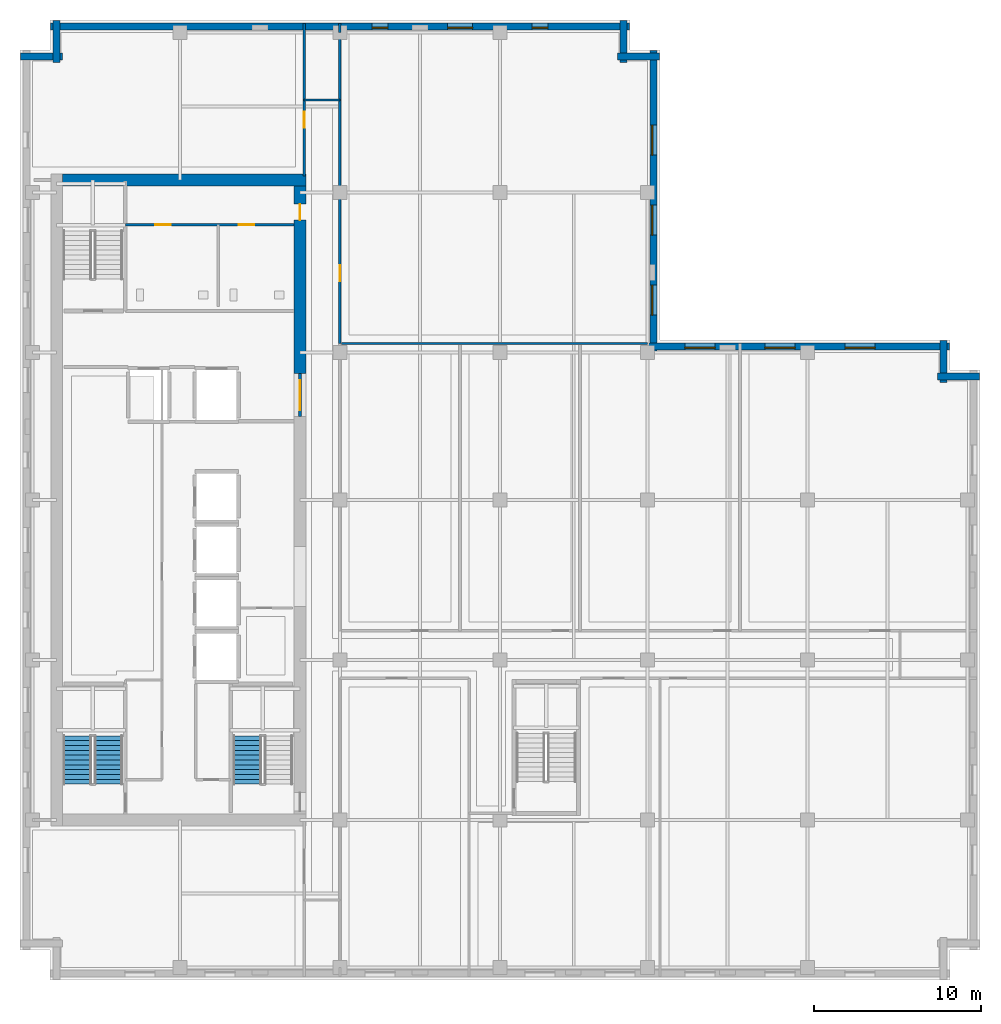
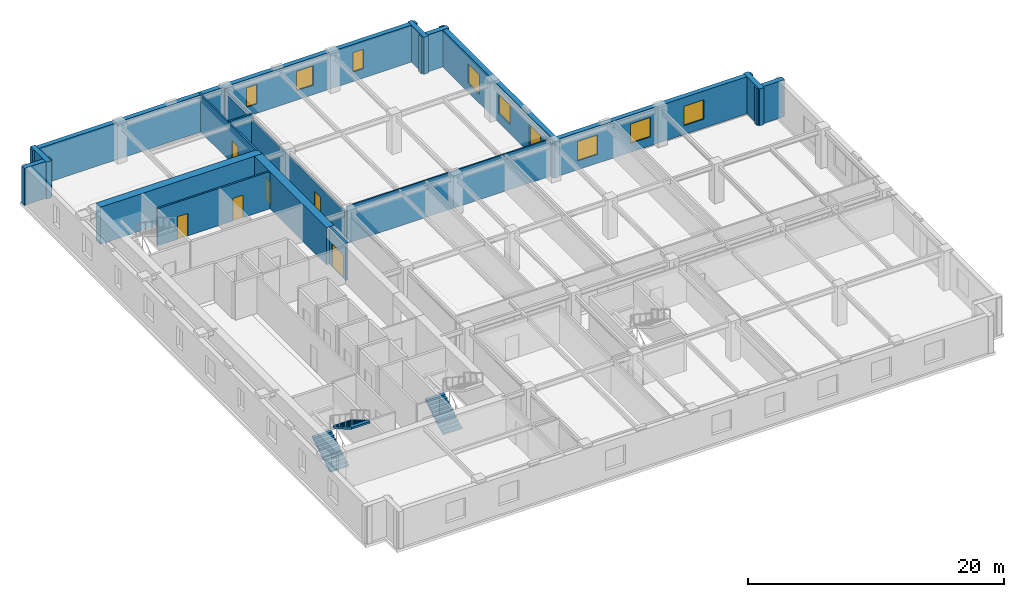
# One storey, part 6 of 11: 18 walls, 9 windows, 6 doors, 3 stair flights, 15 openings, 2 elements without a shape of their own.
"""IFC4 building model written with IfcOpenShell, lengths in metres."""

import ifcopenshell
import ifcopenshell.guid

model = None  # the IFC model being written
_history = None  # IfcOwnerHistory: only IFC2X3 demands one
_inside = {}  # id of a spatial element -> (the spatial element, [elements in it])
_under = {}  # id of a project, library or spatial element -> (it, [spatial elements below it])
_declared = {}  # id of a project -> (the project, [libraries it declares])
_typed = {}  # id of a type object -> (the type object, [elements of that type])
_made_of = {}  # id of a material, layer set ... -> (it, [elements and type objects made of it])


def new_model(schema):
    """Start an empty IFC model of exactly this schema.

    Asked for "IFC4X3", IfcOpenShell would pick the latest addendum, in which some entities
    have other attributes; the version numbers below select the first issue.
    IFC2X3 requires an IfcOwnerHistory on every rooted entity: one is made here for all.
    """
    global model, _history
    if schema == "IFC4X3":
        model = ifcopenshell.file(schema_version=(4, 3, 0, 0))
    else:
        model = ifcopenshell.file(schema=schema)
    _inside.clear()
    _under.clear()
    _declared.clear()
    _typed.clear()
    _made_of.clear()
    _history = None
    if model.schema == "IFC2X3":
        org = make("IfcOrganization", Name="unknown")
        user = make(
            "IfcPersonAndOrganization",
            ThePerson=make("IfcPerson", FamilyName="unknown"),
            TheOrganization=org,
        )
        app = make(
            "IfcApplication",
            ApplicationDeveloper=org,
            Version="unknown",
            ApplicationFullName="unknown",
            ApplicationIdentifier="unknown",
        )
        _history = make(
            "IfcOwnerHistory",
            OwningUser=user,
            OwningApplication=app,
            ChangeAction="ADDED",
            CreationDate=0,
        )
    return model


def make(cls, **values):
    """One entity of the class cls with the attributes given. An attribute that is None is left unset."""
    return model.create_entity(
        cls, **{name: value for name, value in values.items() if value is not None}
    )


def rooted(cls, **values):
    """An entity with a GlobalId (a new one), such as an element, a storey or a relation."""
    return make(cls, GlobalId=ifcopenshell.guid.new(), OwnerHistory=_history, **values)


def si_unit(unit_type, name, prefix=None):
    """IfcSIUnit, for example si_unit("LENGTHUNIT", "METRE", prefix="MILLI")."""
    return make("IfcSIUnit", UnitType=unit_type, Prefix=prefix, Name=name)


def assignment(units):
    """IfcUnitAssignment: the units of a project."""
    return None if units is None else make("IfcUnitAssignment", Units=units)


def point(xyz):
    """IfcCartesianPoint."""
    return None if xyz is None else make("IfcCartesianPoint", Coordinates=xyz)


def direction(xyz):
    """IfcDirection."""
    return None if xyz is None else make("IfcDirection", DirectionRatios=xyz)


def frame(location, z_axis=None, x_axis=None):
    """IfcAxis2Placement3D, a coordinate frame: its origin and axes. An axis left out is left unset."""
    return make(
        "IfcAxis2Placement3D",
        Location=point(location),
        Axis=direction(z_axis),
        RefDirection=direction(x_axis),
    )


def frame_2d(location, x_axis=None):
    """IfcAxis2Placement2D, a coordinate frame in the plane: its origin and x axis."""
    return make(
        "IfcAxis2Placement2D", Location=point(location), RefDirection=direction(x_axis)
    )


def origin():
    """The frame at (0, 0, 0) with its axes left unset."""
    return frame((0.0, 0.0, 0.0))


def place(relative_to, where):
    """IfcLocalPlacement: puts the frame where relative to a parent placement (None: the world)."""
    return make(
        "IfcLocalPlacement", PlacementRelTo=relative_to, RelativePlacement=where
    )


def context(
    kind, dimensions, precision=None, world=None, true_north=None, identifier=None
):
    """IfcGeometricRepresentationContext, for example the 3D "Model" context."""
    return make(
        "IfcGeometricRepresentationContext",
        ContextIdentifier=identifier,
        ContextType=kind,
        CoordinateSpaceDimension=dimensions,
        Precision=precision,
        WorldCoordinateSystem=world,
        TrueNorth=true_north,
    )


def subcontext(parent, identifier, kind, view, scale=None):
    """IfcGeometricRepresentationSubContext, for example "Body" below "Model"."""
    return make(
        "IfcGeometricRepresentationSubContext",
        ContextIdentifier=identifier,
        ContextType=kind,
        ParentContext=parent,
        TargetScale=scale,
        TargetView=view,
    )


def project(units=None, contexts=None):
    """IfcProject with its units and contexts."""
    return rooted(
        "IfcProject",
        Name="project",
        RepresentationContexts=contexts,
        UnitsInContext=assignment(units),
    )


def spatial(cls, under=None, at=None, **own):
    """A site, building, storey or space (cls), placed at a placement, below another one or the project."""
    s = rooted(cls, ObjectPlacement=at, **own)
    if under is not None:
        _under.setdefault(under.id(), (under, []))[1].append(s)
    return s


def polyline(points):
    """IfcPolyline through the points."""
    return make("IfcPolyline", Points=[point(p) for p in points])


def profile(cls, at=None, kind="AREA", **sizes):
    """A parametric profile (cls). Its sizes go by their IFC names, for example OverallWidth=200.0."""
    return make(cls, ProfileType=kind, Position=at, **sizes)


def rectangle(**sizes):
    """IfcRectangleProfileDef."""
    return profile("IfcRectangleProfileDef", **sizes)


def outline(outer, holes=None, kind="AREA"):
    """IfcArbitraryClosedProfileDef: a profile drawn as a closed curve; with holes, ...WithVoids."""
    if holes is None:
        return make("IfcArbitraryClosedProfileDef", ProfileType=kind, OuterCurve=outer)
    return make(
        "IfcArbitraryProfileDefWithVoids",
        ProfileType=kind,
        OuterCurve=outer,
        InnerCurves=holes,
    )


def extrude(swept, where, along, depth):
    """IfcExtrudedAreaSolid: the profile swept, set in the frame where, extruded along a direction by depth."""
    return make(
        "IfcExtrudedAreaSolid",
        SweptArea=swept,
        Position=where,
        ExtrudedDirection=direction(along),
        Depth=depth,
    )


def shape(context_of_items, identifier, shape_type, items):
    """IfcShapeRepresentation: the items that make up one representation, for example the "Body"."""
    return make(
        "IfcShapeRepresentation",
        ContextOfItems=context_of_items,
        RepresentationIdentifier=identifier,
        RepresentationType=shape_type,
        Items=items,
    )


def material(Name=None, Category=None):
    """IfcMaterial."""
    return make("IfcMaterial", Name=Name, Category=Category)


def layer(
    of_material, thickness, ventilated=None, Name=None, Category=None, Priority=None
):
    """IfcMaterialLayer: one layer of a wall or slab, of a material (None: an air gap)."""
    return make(
        "IfcMaterialLayer",
        Material=of_material,
        LayerThickness=thickness,
        IsVentilated=ventilated,
        Name=Name,
        Category=Category,
        Priority=Priority,
    )


def layer_set(layers, Name=None):
    """IfcMaterialLayerSet."""
    return make("IfcMaterialLayerSet", MaterialLayers=layers, LayerSetName=Name)


def made_of(thing, what):
    """Note that an element or type object is made of a material, layer set ...; save() writes the relation."""
    if what is not None:
        _made_of.setdefault(what.id(), (what, []))[1].append(thing)
    return thing


def type_object(cls, material=None, **own):
    """A type object (cls), such as IfcWallType, which elements share."""
    return made_of(rooted(cls, **own), material)


def element(
    cls,
    number,
    at=None,
    inside=None,
    cuts=None,
    type_object=None,
    material=None,
    context=None,
    identifier="Body",
    shape_type=None,
    held_by="IfcProductDefinitionShape",
    body=None,
    shapes=None,
    **own,
):
    """One element of the class cls, such as IfcWall. Its Tag is "e" and its number.

    at: its placement. inside: the storey or other place that contains it. cuts: it is an
    opening in that element (IfcRelVoidsElement). A single representation is given by context,
    identifier, shape_type and body (its items); several are given by shapes. held_by: the class
    of the entity that holds the representations. save() writes the other relations.
    """
    e = rooted(cls, Tag="e%d" % number, ObjectPlacement=at, **own)
    if body is not None:
        shapes = [shape(context, identifier, shape_type, body)]
    if shapes is not None:
        e.Representation = make(held_by, Representations=shapes)
    if inside is not None:
        _inside.setdefault(inside.id(), (inside, []))[1].append(e)
    if cuts is not None:
        rooted(
            "IfcRelVoidsElement", RelatingBuildingElement=cuts, RelatedOpeningElement=e
        )
    if type_object is not None:
        _typed.setdefault(type_object.id(), (type_object, []))[1].append(e)
    return made_of(e, material)


def fill(opening, filler):
    """IfcRelFillsElement: the door or window that sits in an opening."""
    return rooted(
        "IfcRelFillsElement",
        RelatingOpeningElement=opening,
        RelatedBuildingElement=filler,
    )


def aggregate(whole, parts):
    """IfcRelAggregates: a whole, such as a stair, and the parts it consists of."""
    return rooted("IfcRelAggregates", RelatingObject=whole, RelatedObjects=parts)


def save(model, path):
    """Write the relations noted so far, then the file.

    IfcRelAggregates (storeys below a building ...), IfcRelContainedInSpatialStructure (elements
    in a storey), IfcRelDefinesByType, IfcRelAssociatesMaterial and IfcRelDeclares: one each for
    every whole, place, type object, material and project.
    """
    for whole, parts in _under.values():
        aggregate(whole, parts)
    for where, things in _inside.values():
        rooted(
            "IfcRelContainedInSpatialStructure",
            RelatedElements=things,
            RelatingStructure=where,
        )
    for kind, things in _typed.values():
        rooted("IfcRelDefinesByType", RelatedObjects=things, RelatingType=kind)
    for what, things in _made_of.values():
        rooted("IfcRelAssociatesMaterial", RelatedObjects=things, RelatingMaterial=what)
    for by, libraries in _declared.values():
        rooted("IfcRelDeclares", RelatingContext=by, RelatedDefinitions=libraries)
    model.write(path)


model = new_model("IFC4")

# Units and contexts
model_context = context("Model", 3, precision=1e-05, world=origin(), true_north=direction((0.0, 1.0)))
body_context = subcontext(model_context, "Body", "Model", "MODEL_VIEW")
ifc_project = project(units=[si_unit("LENGTHUNIT", "METRE"), si_unit("AREAUNIT", "SQUARE_METRE"), si_unit("VOLUMEUNIT", "CUBIC_METRE"), si_unit("PLANEANGLEUNIT", "RADIAN"), si_unit("MASSUNIT", "GRAM", prefix="KILO")], contexts=[model_context])

# Site, building, storey
site_placement = place(None, origin())
site = spatial("IfcSite", under=ifc_project, at=site_placement, CompositionType="ELEMENT")
building_placement = place(site_placement, origin())
building = spatial("IfcBuilding", under=site, at=building_placement, Name="Norrvale University Quadrangle", CompositionType="ELEMENT")
storey_placement = place(building_placement, frame((0.0, 0.0, 202.800048828125)))
storey = spatial("IfcBuildingStorey", under=building, at=storey_placement, Name="L51", CompositionType="ELEMENT", Elevation=202.800048828125)

# Walls
ifc_material_1 = material(Name="Buff Norman Clay Brick Masonry", Category="masonry")
ifc_layer_1 = layer(ifc_material_1, 0.419921875, Name="Buff Norman Clay Brick Masonry")
ifc_layer_set_1 = layer_set([ifc_layer_1], Name="Buff Norman Clay Brick Masonry")
wall_type_1 = type_object("IfcWallType", Name="Wall Buff Brick 420", PredefinedType="SOLIDWALL", material=ifc_layer_set_1)
for number, where, z_axis, x_axis, name in (
    (1, (57.56005859375, 36.2099609375, 0.0), (0.0, 0.0, 1.0), (-1.0, 0.0, 0.0), "Exterior Brick Facade Wall L51-05.1"),
    (2, (55.409912109375, 35.860107421875, 0.0), (0.0, 0.0, 1.0), (0.0, 1.0, 0.0), "Exterior Brick Facade Wall L51-06.1"),
):
    element("IfcWall", number, at=place(storey_placement, frame(where, z_axis=z_axis, x_axis=x_axis)), inside=storey, type_object=wall_type_1, Name=name, PredefinedType="SOLIDWALL", context=body_context, shape_type="SweptSolid", body=[
        extrude(rectangle(XDim=2.5, YDim=0.419921875, at=frame_2d((1.25, 0.0))), origin(), (0.0, 0.0, 1.0), 3.5400390625),
    ])

# Wall, openings, windows
wall_1_placement = place(storey_placement, frame((55.760009765625, 38.010009765625, 0.0), z_axis=(0.0, 0.0, 1.0), x_axis=(-1.0, 0.0, 0.0)))
wall_1 = element("IfcWall", 3, at=wall_1_placement, inside=storey, type_object=wall_type_1, Name="Exterior Brick Facade Wall L51-07.1", PredefinedType="SOLIDWALL", context=body_context, shape_type="SweptSolid", body=[
    extrude(rectangle(XDim=18.10009765625, YDim=0.419921875, at=frame_2d((9.050048828125, 0.0))), origin(), (0.0, 0.0, 1.0), 3.5400390625),
])
opening_1_placement = place(wall_1_placement, frame((4.4599609375, 0.0, 0.85009765625)))
opening_1 = element("IfcOpeningElement", 4, at=opening_1_placement, cuts=wall_1, Name="Opening W01", PredefinedType="OPENING", context=body_context, shape_type="SweptSolid", body=[
    extrude(rectangle(XDim=1.800048828125, YDim=1.85009765625, at=frame_2d((0.89990234375, 0.925048828125))), frame((0.0, 0.221923828125, 0.0), z_axis=(0.0, -1.0, 0.0), x_axis=(1.0, 0.0, 0.0)), (0.0, 0.0, 1.0), 0.44384765625),
])
opening_2_placement = place(wall_1_placement, frame((9.260009765625, 0.0, 0.85009765625)))
opening_2 = element("IfcOpeningElement", 5, at=opening_2_placement, cuts=wall_1, Name="Opening W01", PredefinedType="OPENING", context=body_context, shape_type="SweptSolid", body=[
    extrude(rectangle(XDim=1.800048828125, YDim=1.85009765625, at=frame_2d((0.89990234375, 0.925048828125))), frame((0.0, 0.221923828125, 0.0), z_axis=(0.0, -1.0, 0.0), x_axis=(1.0, 0.0, 0.0)), (0.0, 0.0, 1.0), 0.44384765625),
])
opening_3_placement = place(wall_1_placement, frame((14.06005859375, 0.0, 0.85009765625)))
opening_3 = element("IfcOpeningElement", 6, at=opening_3_placement, cuts=wall_1, Name="Opening W01", PredefinedType="OPENING", context=body_context, shape_type="SweptSolid", body=[
    extrude(rectangle(XDim=1.800048828125, YDim=1.85009765625, at=frame_2d((0.89990234375, 0.925048828125))), frame((0.0, 0.221923828125, 0.0), z_axis=(0.0, -1.0, 0.0), x_axis=(1.0, 0.0, 0.0)), (0.0, 0.0, 1.0), 0.44384765625),
])
ifc_material_2 = material(Name="Triple Low-E Argon Glazing", Category="glass")
window_type_1 = type_object("IfcWindowType", Name="Window Academic 1800x2300", PartitioningType="DOUBLE_PANEL_VERTICAL", PredefinedType="WINDOW", material=ifc_material_2)
window_1_placement = place(opening_1_placement, origin())
window_1 = element("IfcWindow", 7, at=window_1_placement, inside=storey, type_object=window_type_1, Name="Window Academic 1800x2300 WIN-L51-E07-1-01", OverallHeight=1.85009765625, OverallWidth=1.800048828125, PartitioningType="DOUBLE_PANEL_VERTICAL", PredefinedType="WINDOW", context=body_context, shape_type="SweptSolid", body=[
    extrude(rectangle(XDim=1.800048828125, YDim=1.85009765625, at=frame_2d((0.89990234375, 0.925048828125))), frame((0.0, 0.110107421875, 0.0), z_axis=(0.0, -1.0, 0.0), x_axis=(1.0, 0.0, 0.0)), (0.0, 0.0, 1.0), 0.06005859375),
])
fill(opening_1, window_1)
window_2_placement = place(opening_2_placement, origin())
window_2 = element("IfcWindow", 8, at=window_2_placement, inside=storey, type_object=window_type_1, Name="Window Academic 1800x2300 WIN-L51-E07-1-02", OverallHeight=1.85009765625, OverallWidth=1.800048828125, PartitioningType="DOUBLE_PANEL_VERTICAL", PredefinedType="WINDOW", context=body_context, shape_type="SweptSolid", body=[
    extrude(rectangle(XDim=1.800048828125, YDim=1.85009765625, at=frame_2d((0.89990234375, 0.925048828125))), frame((0.0, 0.110107421875, 0.0), z_axis=(0.0, -1.0, 0.0), x_axis=(1.0, 0.0, 0.0)), (0.0, 0.0, 1.0), 0.06005859375),
])
fill(opening_2, window_2)
window_3_placement = place(opening_3_placement, origin())
window_3 = element("IfcWindow", 9, at=window_3_placement, inside=storey, type_object=window_type_1, Name="Window Academic 1800x2300 WIN-L51-E07-1-03", OverallHeight=1.85009765625, OverallWidth=1.800048828125, PartitioningType="DOUBLE_PANEL_VERTICAL", PredefinedType="WINDOW", context=body_context, shape_type="SweptSolid", body=[
    extrude(rectangle(XDim=1.800048828125, YDim=1.85009765625, at=frame_2d((0.89990234375, 0.925048828125))), frame((0.0, 0.110107421875, 0.0), z_axis=(0.0, -1.0, 0.0), x_axis=(1.0, 0.0, 0.0)), (0.0, 0.0, 1.0), 0.06005859375),
])
fill(opening_3, window_3)

wall_2_placement = place(storey_placement, frame((38.010009765625, 37.659912109375, 0.0), z_axis=(0.0, 0.0, 1.0), x_axis=(0.0, 1.0, 0.0)))
wall_2 = element("IfcWall", 10, at=wall_2_placement, inside=storey, type_object=wall_type_1, Name="Exterior Brick Facade Wall L51-08.1", PredefinedType="SOLIDWALL", context=body_context, shape_type="SweptSolid", body=[
    extrude(rectangle(XDim=18.10009765625, YDim=0.419921875, at=frame_2d((9.050048828125, 0.0))), origin(), (0.0, 0.0, 1.0), 3.5400390625),
])
opening_4_placement = place(wall_2_placement, frame((2.239990234375, 0.0, 0.85009765625)))
opening_4 = element("IfcOpeningElement", 11, at=opening_4_placement, cuts=wall_2, Name="Opening W01", PredefinedType="OPENING", context=body_context, shape_type="SweptSolid", body=[
    extrude(rectangle(XDim=1.800048828125, YDim=1.85009765625, at=frame_2d((0.89990234375, 0.925048828125))), frame((0.0, 0.221923828125, 0.0), z_axis=(0.0, -1.0, 0.0), x_axis=(1.0, 0.0, 0.0)), (0.0, 0.0, 1.0), 0.44384765625),
])
opening_5_placement = place(wall_2_placement, frame((7.0400390625, 0.0, 0.85009765625)))
opening_5 = element("IfcOpeningElement", 12, at=opening_5_placement, cuts=wall_2, Name="Opening W01", PredefinedType="OPENING", context=body_context, shape_type="SweptSolid", body=[
    extrude(rectangle(XDim=1.800048828125, YDim=1.85009765625, at=frame_2d((0.89990234375, 0.925048828125))), frame((0.0, 0.221923828125, 0.0), z_axis=(0.0, -1.0, 0.0), x_axis=(1.0, 0.0, 0.0)), (0.0, 0.0, 1.0), 0.44384765625),
])
opening_6_placement = place(wall_2_placement, frame((11.840087890625, 0.0, 0.85009765625)))
opening_6 = element("IfcOpeningElement", 13, at=opening_6_placement, cuts=wall_2, Name="Opening W01", PredefinedType="OPENING", context=body_context, shape_type="SweptSolid", body=[
    extrude(rectangle(XDim=1.800048828125, YDim=1.85009765625, at=frame_2d((0.89990234375, 0.925048828125))), frame((0.0, 0.221923828125, 0.0), z_axis=(0.0, -1.0, 0.0), x_axis=(1.0, 0.0, 0.0)), (0.0, 0.0, 1.0), 0.44384765625),
])
window_4_placement = place(opening_4_placement, origin())
window_4 = element("IfcWindow", 14, at=window_4_placement, inside=storey, type_object=window_type_1, Name="Window Academic 1800x2300 WIN-L51-E08-1-01", OverallHeight=1.85009765625, OverallWidth=1.800048828125, PartitioningType="DOUBLE_PANEL_VERTICAL", PredefinedType="WINDOW", context=body_context, shape_type="SweptSolid", body=[
    extrude(rectangle(XDim=1.800048828125, YDim=1.85009765625, at=frame_2d((0.89990234375, 0.925048828125))), frame((0.0, 0.110107421875, 0.0), z_axis=(0.0, -1.0, 0.0), x_axis=(1.0, 0.0, 0.0)), (0.0, 0.0, 1.0), 0.06005859375),
])
fill(opening_4, window_4)
window_5_placement = place(opening_5_placement, origin())
window_5 = element("IfcWindow", 15, at=window_5_placement, inside=storey, type_object=window_type_1, Name="Window Academic 1800x2300 WIN-L51-E08-1-02", OverallHeight=1.85009765625, OverallWidth=1.800048828125, PartitioningType="DOUBLE_PANEL_VERTICAL", PredefinedType="WINDOW", context=body_context, shape_type="SweptSolid", body=[
    extrude(rectangle(XDim=1.800048828125, YDim=1.85009765625, at=frame_2d((0.89990234375, 0.925048828125))), frame((0.0, 0.110107421875, 0.0), z_axis=(0.0, -1.0, 0.0), x_axis=(1.0, 0.0, 0.0)), (0.0, 0.0, 1.0), 0.06005859375),
])
fill(opening_5, window_5)
window_6_placement = place(opening_6_placement, origin())
window_6 = element("IfcWindow", 16, at=window_6_placement, inside=storey, type_object=window_type_1, Name="Window Academic 1800x2300 WIN-L51-E08-1-03", OverallHeight=1.85009765625, OverallWidth=1.800048828125, PartitioningType="DOUBLE_PANEL_VERTICAL", PredefinedType="WINDOW", context=body_context, shape_type="SweptSolid", body=[
    extrude(rectangle(XDim=1.800048828125, YDim=1.85009765625, at=frame_2d((0.89990234375, 0.925048828125))), frame((0.0, 0.110107421875, 0.0), z_axis=(0.0, -1.0, 0.0), x_axis=(1.0, 0.0, 0.0)), (0.0, 0.0, 1.0), 0.06005859375),
])
fill(opening_6, window_6)

# Walls
for number, where, z_axis, x_axis, name in (
    (17, (38.360107421875, 55.409912109375, 0.0), (0.0, 0.0, 1.0), (-1.0, 0.0, 0.0), "Exterior Brick Facade Wall L51-09.1"),
    (18, (36.2099609375, 55.06005859375, 0.0), (0.0, 0.0, 1.0), (0.0, 1.0, 0.0), "Exterior Brick Facade Wall L51-10.1"),
):
    element("IfcWall", number, at=place(storey_placement, frame(where, z_axis=z_axis, x_axis=x_axis)), inside=storey, type_object=wall_type_1, Name=name, PredefinedType="SOLIDWALL", context=body_context, shape_type="SweptSolid", body=[
        extrude(rectangle(XDim=2.5, YDim=0.419921875, at=frame_2d((1.25, 0.0))), origin(), (0.0, 0.0, 1.0), 3.5400390625),
    ])

# Wall, openings, windows
wall_3_placement = place(storey_placement, frame((36.56005859375, 57.2099609375, 0.0), z_axis=(0.0, 0.0, 1.0), x_axis=(-1.0, 0.0, 0.0)))
wall_3 = element("IfcWall", 19, at=wall_3_placement, inside=storey, type_object=wall_type_1, Name="Exterior Brick Facade Wall L51-11.1", PredefinedType="SOLIDWALL", context=body_context, shape_type="SweptSolid", body=[
    extrude(rectangle(XDim=34.719970703125, YDim=0.419921875, at=frame_2d((17.35986328125, 0.0))), origin(), (0.0, 0.0, 1.0), 3.5400390625),
])
opening_7_placement = place(wall_3_placement, frame((4.885009765625, 0.0, 0.89990234375)))
opening_7 = element("IfcOpeningElement", 20, at=opening_7_placement, cuts=wall_3, Name="Opening W04", PredefinedType="OPENING", context=body_context, shape_type="SweptSolid", body=[
    extrude(rectangle(XDim=0.949951171875, YDim=1.85009765625, at=frame_2d((0.47509765625, 0.925048828125))), frame((0.0, 0.221923828125, 0.0), z_axis=(0.0, -1.0, 0.0), x_axis=(1.0, 0.0, 0.0)), (0.0, 0.0, 1.0), 0.44384765625),
])
opening_8_placement = place(wall_3_placement, frame((9.409912109375, 0.0, 0.89990234375)))
opening_8 = element("IfcOpeningElement", 21, at=opening_8_placement, cuts=wall_3, Name="Opening W03", PredefinedType="OPENING", context=body_context, shape_type="SweptSolid", body=[
    extrude(rectangle(XDim=1.5, YDim=1.85009765625, at=frame_2d((0.75, 0.925048828125))), frame((0.0, 0.221923828125, 0.0), z_axis=(0.0, -1.0, 0.0), x_axis=(1.0, 0.0, 0.0)), (0.0, 0.0, 1.0), 0.44384765625),
])
opening_9_placement = place(wall_3_placement, frame((14.485107421875, 0.0, 0.89990234375)))
opening_9 = element("IfcOpeningElement", 22, at=opening_9_placement, cuts=wall_3, Name="Opening W04", PredefinedType="OPENING", context=body_context, shape_type="SweptSolid", body=[
    extrude(rectangle(XDim=0.949951171875, YDim=1.85009765625, at=frame_2d((0.47509765625, 0.925048828125))), frame((0.0, 0.221923828125, 0.0), z_axis=(0.0, -1.0, 0.0), x_axis=(1.0, 0.0, 0.0)), (0.0, 0.0, 1.0), 0.44384765625),
])
window_type_2 = type_object("IfcWindowType", Name="Window Narrow Pier 950x2300", PartitioningType="SINGLE_PANEL", PredefinedType="WINDOW", material=ifc_material_2)
window_7_placement = place(opening_7_placement, origin())
window_7 = element("IfcWindow", 23, at=window_7_placement, inside=storey, type_object=window_type_2, Name="Window Narrow Pier 950x2300 WIN-L51-E11-1-01", OverallHeight=1.85009765625, OverallWidth=0.949951171875, PartitioningType="SINGLE_PANEL", PredefinedType="WINDOW", context=body_context, shape_type="SweptSolid", body=[
    extrude(rectangle(XDim=0.949951171875, YDim=1.85009765625, at=frame_2d((0.47509765625, 0.925048828125))), frame((0.0, 0.110107421875, 0.0), z_axis=(0.0, -1.0, 0.0), x_axis=(1.0, 0.0, 0.0)), (0.0, 0.0, 1.0), 0.06005859375),
])
fill(opening_7, window_7)
window_8_placement = place(opening_9_placement, origin())
window_8 = element("IfcWindow", 24, at=window_8_placement, inside=storey, type_object=window_type_2, Name="Window Narrow Pier 950x2300 WIN-L51-E11-1-03", OverallHeight=1.85009765625, OverallWidth=0.949951171875, PartitioningType="SINGLE_PANEL", PredefinedType="WINDOW", context=body_context, shape_type="SweptSolid", body=[
    extrude(rectangle(XDim=0.949951171875, YDim=1.85009765625, at=frame_2d((0.47509765625, 0.925048828125))), frame((0.0, 0.110107421875, 0.0), z_axis=(0.0, -1.0, 0.0), x_axis=(1.0, 0.0, 0.0)), (0.0, 0.0, 1.0), 0.06005859375),
])
fill(opening_9, window_8)
window_type_3 = type_object("IfcWindowType", Name="Window Studio 1500x2300", PartitioningType="DOUBLE_PANEL_VERTICAL", PredefinedType="WINDOW", material=ifc_material_2)
window_9_placement = place(opening_8_placement, origin())
window_9 = element("IfcWindow", 25, at=window_9_placement, inside=storey, type_object=window_type_3, Name="Window Studio 1500x2300 WIN-L51-E11-1-02", OverallHeight=1.85009765625, OverallWidth=1.5, PartitioningType="DOUBLE_PANEL_VERTICAL", PredefinedType="WINDOW", context=body_context, shape_type="SweptSolid", body=[
    extrude(rectangle(XDim=1.5, YDim=1.85009765625, at=frame_2d((0.75, 0.925048828125))), frame((0.0, 0.110107421875, 0.0), z_axis=(0.0, -1.0, 0.0), x_axis=(1.0, 0.0, 0.0)), (0.0, 0.0, 1.0), 0.06005859375),
])
fill(opening_8, window_9)

# Walls
for number, where, z_axis, x_axis, name in (
    (26, (2.18994140625, 57.56005859375, 0.0), (0.0, 0.0, 1.0), (0.0, -1.0, 0.0), "Exterior Brick Facade Wall L51-12.1"),
    (27, (2.5400390625, 55.409912109375, 0.0), (0.0, 0.0, 1.0), (-1.0, 0.0, 0.0), "Exterior Brick Facade Wall L51-13.1"),
):
    element("IfcWall", number, at=place(storey_placement, frame(where, z_axis=z_axis, x_axis=x_axis)), inside=storey, type_object=wall_type_1, Name=name, PredefinedType="SOLIDWALL", context=body_context, shape_type="SweptSolid", body=[
        extrude(rectangle(XDim=2.5, YDim=0.419921875, at=frame_2d((1.25, 0.0))), origin(), (0.0, 0.0, 1.0), 3.5400390625),
    ])
ifc_material_3 = material(Name="Concrete C60/75", Category="concrete")
ifc_layer_2 = layer(ifc_material_3, 0.699951171875, Name="Concrete C60/75")
ifc_layer_set_2 = layer_set([ifc_layer_2], Name="Concrete C60/75")
wall_type_2 = type_object("IfcWallType", Name="Wall Core 700", PredefinedType="SHEAR", material=ifc_layer_set_2)
wall_4_placement = place(storey_placement, frame((2.550048828125, 48.0, 0.0), z_axis=(0.0, 0.0, 1.0), x_axis=(1.0, 0.0, 0.0)))
element("IfcWall", 28, at=wall_4_placement, inside=storey, type_object=wall_type_2, Name="Tower Core Shear Wall L51-N", PredefinedType="SHEAR", context=body_context, shape_type="SweptSolid", body=[
    extrude(rectangle(XDim=14.599853515625, YDim=0.699951171875, at=frame_2d((7.2998046875, 0.0))), origin(), (0.0, 0.0, 1.0), 3.5400390625),
])

# Wall, opening, door
wall_5_placement = place(storey_placement, frame((16.800048828125, 36.39990234375, 0.0), z_axis=(0.0, 0.0, 1.0), x_axis=(0.0, 1.0, 0.0)))
wall_5 = element("IfcWall", 29, at=wall_5_placement, inside=storey, type_object=wall_type_2, Name="Tower Core Shear Wall L51-E3", PredefinedType="SHEAR", context=body_context, shape_type="SweptSolid", body=[
    extrude(rectangle(XDim=11.25, YDim=0.699951171875, at=frame_2d((5.625, 0.0))), origin(), (0.0, 0.0, 1.0), 3.5400390625),
])
opening_10_placement = place(wall_5_placement, frame((9.199951171875, 0.0, 0.0)))
opening_10 = element("IfcOpeningElement", 30, at=opening_10_placement, cuts=wall_5, Name="Opening D07", PredefinedType="OPENING", context=body_context, shape_type="SweptSolid", body=[
    extrude(rectangle(XDim=0.949951171875, YDim=2.14990234375, at=frame_2d((0.47509765625, 1.074951171875))), frame((0.0, 0.362060546875, 0.0), z_axis=(0.0, -1.0, 0.0), x_axis=(1.0, 0.0, 0.0)), (0.0, 0.0, 1.0), 0.723876953125),
])
ifc_material_4 = material(Name="Solid-Core Maple Door", Category="wood")
door_type_1 = type_object("IfcDoorType", Name="Door Office 950x2150", OperationType="NOTDEFINED", PredefinedType="DOOR", material=ifc_material_4)
door_1_placement = place(opening_10_placement, origin())
door_1 = element("IfcDoor", 31, at=door_1_placement, inside=storey, type_object=door_type_1, Name="Door Office 950x2150 DR-L51-NECORR", OperationType="SINGLE_SWING_RIGHT", OverallHeight=2.14990234375, OverallWidth=0.949951171875, PredefinedType="DOOR", context=body_context, shape_type="SweptSolid", body=[
    extrude(rectangle(XDim=0.949951171875, YDim=2.14990234375, at=frame_2d((0.47509765625, 1.074951171875))), frame((0.0, 0.02490234375, 0.0), z_axis=(0.0, -1.0, 0.0), x_axis=(1.0, 0.0, 0.0)), (0.0, 0.0, 1.0), 0.050048828125),
])
fill(opening_10, door_1)

# Walls
ifc_material_5 = material(Name="Standard Academic Gypsum Partition")
ifc_layer_3 = layer(ifc_material_5, 0.125, Name="Standard Academic Gypsum Partition")
ifc_layer_set_3 = layer_set([ifc_layer_3], Name="Standard Academic Gypsum Partition")
wall_type_3 = type_object("IfcWallType", Name="Wall Gypsum Academic 125", PredefinedType="PARTITIONING", material=ifc_layer_set_3)
wall_6_placement = place(storey_placement, frame((19.280029296875, 38.179931640625, 0.0), z_axis=(0.0, 0.0, 1.0), x_axis=(1.0, 0.0, 0.0)))
element("IfcWall", 32, at=wall_6_placement, inside=storey, type_object=wall_type_3, Name="Interior Partition WL-L51-ME-N", PredefinedType="PARTITIONING", context=body_context, shape_type="SweptSolid", body=[
    extrude(rectangle(XDim=18.369873046875, YDim=0.125, at=frame_2d((9.18505859375, 0.0))), origin(), (0.0, 0.0, 1.0), 3.5400390625),
])
ifc_material_6 = material(Name="Fire-Rated Gypsum Stud Partition")
ifc_layer_4 = layer(ifc_material_6, 0.14990234375, Name="Fire-Rated Gypsum Stud Partition")
ifc_layer_set_4 = layer_set([ifc_layer_4], Name="Fire-Rated Gypsum Stud Partition")
wall_type_4 = type_object("IfcWallType", Name="Wall Gypsum Corridor 150", PredefinedType="PARTITIONING", material=ifc_layer_set_4)
wall_7_placement = place(storey_placement, frame((17.050048828125, 52.800048828125, 0.0), z_axis=(0.0, 0.0, 1.0), x_axis=(1.0, 0.0, 0.0)))
element("IfcWall", 33, at=wall_7_placement, inside=storey, type_object=wall_type_4, Name="Interior Partition WL-L51-CSP-N", PredefinedType="PARTITIONING", context=body_context, shape_type="SweptSolid", body=[
    extrude(rectangle(XDim=2.14990234375, YDim=0.14990234375, at=frame_2d((1.074951171875, 0.0))), origin(), (0.0, 0.0, 1.0), 3.5400390625),
])

# Wall, opening, door
wall_8_placement = place(storey_placement, frame((19.199951171875, 38.179931640625, 0.0), z_axis=(0.0, 0.0, 1.0), x_axis=(0.0, 1.0, 0.0)))
wall_8 = element("IfcWall", 34, at=wall_8_placement, inside=storey, type_object=wall_type_4, Name="Interior Partition WL-L51-NECW", PredefinedType="PARTITIONING", context=body_context, shape_type="SweptSolid", body=[
    extrude(rectangle(XDim=18.670166015625, YDim=0.14990234375, at=frame_2d((9.3349609375, 0.0))), origin(), (0.0, 0.0, 1.0), 3.071044921875),
])
opening_11_placement = place(wall_8_placement, frame((3.75, 0.0, 0.0)))
opening_11 = element("IfcOpeningElement", 35, at=opening_11_placement, cuts=wall_8, Name="Opening D07", PredefinedType="OPENING", context=body_context, shape_type="SweptSolid", body=[
    extrude(rectangle(XDim=0.949951171875, YDim=2.14990234375, at=frame_2d((0.47509765625, 1.074951171875))), frame((0.0, 0.0869140625, 0.0), z_axis=(0.0, -1.0, 0.0), x_axis=(1.0, 0.0, 0.0)), (0.0, 0.0, 1.0), 0.173828125),
])
door_2_placement = place(opening_11_placement, origin())
door_2 = element("IfcDoor", 36, at=door_2_placement, inside=storey, type_object=door_type_1, Name="Door Office 950x2150 DR-L51-NE01", OperationType="SINGLE_SWING_RIGHT", OverallHeight=2.14990234375, OverallWidth=0.949951171875, PredefinedType="DOOR", context=body_context, shape_type="SweptSolid", body=[
    extrude(rectangle(XDim=0.949951171875, YDim=2.14990234375, at=frame_2d((0.47509765625, 1.074951171875))), frame((0.0, 0.02490234375, 0.0), z_axis=(0.0, -1.0, 0.0), x_axis=(1.0, 0.0, 0.0)), (0.0, 0.0, 1.0), 0.050048828125),
])
fill(opening_11, door_2)

# Wall
wall_9_placement = place(storey_placement, frame((19.199951171875, 56.85009765625, 0.0), z_axis=(0.0, 0.0, 1.0), x_axis=(0.0, 1.0, 0.0)))
element("IfcWall", 37, at=wall_9_placement, inside=storey, type_object=wall_type_4, Name="Interior Partition WL-L51-NECW-B2", PredefinedType="PARTITIONING", context=body_context, shape_type="SweptSolid", body=[
    extrude(rectangle(XDim=0.52978515625, YDim=0.14990234375, at=frame_2d((0.264892578125, 0.0))), origin(), (0.0, 0.0, 1.0), 3.5400390625),
])

# Wall, opening, door
wall_10_placement = place(storey_placement, frame((17.050048828125, 48.25, 0.0), z_axis=(0.0, 0.0, 1.0), x_axis=(0.0, 1.0, 0.0)))
wall_10 = element("IfcWall", 38, at=wall_10_placement, inside=storey, type_object=wall_type_4, Name="Interior Partition WL-L51-NWCW", PredefinedType="PARTITIONING", context=body_context, shape_type="SweptSolid", body=[
    extrude(rectangle(XDim=9.1298828125, YDim=0.14990234375, at=frame_2d((4.56494140625, 0.0))), origin(), (0.0, 0.0, 1.0), 3.5400390625),
])
opening_12_placement = place(wall_10_placement, frame((2.89990234375, 0.0, 0.0)))
opening_12 = element("IfcOpeningElement", 39, at=opening_12_placement, cuts=wall_10, Name="Opening D07", PredefinedType="OPENING", context=body_context, shape_type="SweptSolid", body=[
    extrude(rectangle(XDim=0.949951171875, YDim=2.14990234375, at=frame_2d((0.47509765625, 1.074951171875))), frame((0.0, 0.0869140625, 0.0), z_axis=(0.0, -1.0, 0.0), x_axis=(1.0, 0.0, 0.0)), (0.0, 0.0, 1.0), 0.173828125),
])
door_3_placement = place(opening_12_placement, origin())
door_3 = element("IfcDoor", 40, at=door_3_placement, inside=storey, type_object=door_type_1, Name="Door Office 950x2150 DR-L51-NW01", OperationType="SINGLE_SWING_RIGHT", OverallHeight=2.14990234375, OverallWidth=0.949951171875, PredefinedType="DOOR", context=body_context, shape_type="SweptSolid", body=[
    extrude(rectangle(XDim=0.949951171875, YDim=2.14990234375, at=frame_2d((0.47509765625, 1.074951171875))), frame((0.0, 0.02490234375, 0.0), z_axis=(0.0, -1.0, 0.0), x_axis=(1.0, 0.0, 0.0)), (0.0, 0.0, 1.0), 0.050048828125),
])
fill(opening_12, door_3)

# Wall, openings, doors
ifc_material_7 = material(Name="Sanitary Chase Gypsum Partition")
ifc_layer_5 = layer(ifc_material_7, 0.1650390625, Name="Sanitary Chase Gypsum Partition")
ifc_layer_set_5 = layer_set([ifc_layer_5], Name="Sanitary Chase Gypsum Partition")
wall_type_5 = type_object("IfcWallType", Name="Wall Gypsum Sanitary 165", PredefinedType="PLUMBINGWALL", material=ifc_layer_set_5)
wall_11_placement = place(storey_placement, frame((6.320068359375, 45.320068359375, 0.0), z_axis=(0.0, 0.0, 1.0), x_axis=(1.0, 0.0, 0.0)))
wall_11 = element("IfcWall", 41, at=wall_11_placement, inside=storey, type_object=wall_type_5, Name="Interior Partition WL-L51-WCN", PredefinedType="PLUMBINGWALL", context=body_context, shape_type="SweptSolid", body=[
    extrude(rectangle(XDim=10.1298828125, YDim=0.1650390625, at=frame_2d((5.06494140625, 0.0))), origin(), (0.0, 0.0, 1.0), 3.5400390625),
])
opening_13_placement = place(wall_11_placement, frame((1.800048828125, 0.0, 0.0)))
opening_13 = element("IfcOpeningElement", 42, at=opening_13_placement, cuts=wall_11, Name="Opening D08", PredefinedType="OPENING", context=body_context, shape_type="SweptSolid", body=[
    extrude(rectangle(XDim=0.919921875, YDim=2.14990234375, at=frame_2d((0.4599609375, 1.074951171875))), frame((0.0, 0.094482421875, 0.0), z_axis=(0.0, -1.0, 0.0), x_axis=(1.0, 0.0, 0.0)), (0.0, 0.0, 1.0), 0.18896484375),
])
opening_14_placement = place(wall_11_placement, frame((6.800048828125, 0.0, 0.0)))
opening_14 = element("IfcOpeningElement", 43, at=opening_14_placement, cuts=wall_11, Name="Opening D08", PredefinedType="OPENING", context=body_context, shape_type="SweptSolid", body=[
    extrude(rectangle(XDim=0.919921875, YDim=2.14990234375, at=frame_2d((0.4599609375, 1.074951171875))), frame((0.0, 0.094482421875, 0.0), z_axis=(0.0, -1.0, 0.0), x_axis=(1.0, 0.0, 0.0)), (0.0, 0.0, 1.0), 0.18896484375),
])
ifc_material_8 = material(Name="Laminate Washroom Door", Category="wood")
door_type_2 = type_object("IfcDoorType", Name="Door Washroom 920x2150", OperationType="NOTDEFINED", PredefinedType="DOOR", material=ifc_material_8)
door_4_placement = place(opening_13_placement, origin())
door_4 = element("IfcDoor", 44, at=door_4_placement, inside=storey, type_object=door_type_2, Name="Door Washroom 920x2150 DR-L51-WC1", OperationType="SINGLE_SWING_LEFT", OverallHeight=2.14990234375, OverallWidth=0.919921875, PredefinedType="DOOR", context=body_context, shape_type="SweptSolid", body=[
    extrude(rectangle(XDim=0.919921875, YDim=2.14990234375, at=frame_2d((0.4599609375, 1.074951171875))), frame((0.0, 0.02490234375, 0.0), z_axis=(0.0, -1.0, 0.0), x_axis=(1.0, 0.0, 0.0)), (0.0, 0.0, 1.0), 0.050048828125),
])
fill(opening_13, door_4)
door_5_placement = place(opening_14_placement, origin())
door_5 = element("IfcDoor", 45, at=door_5_placement, inside=storey, type_object=door_type_2, Name="Door Washroom 920x2150 DR-L51-WC2", OperationType="SINGLE_SWING_RIGHT", OverallHeight=2.14990234375, OverallWidth=0.919921875, PredefinedType="DOOR", context=body_context, shape_type="SweptSolid", body=[
    extrude(rectangle(XDim=0.919921875, YDim=2.14990234375, at=frame_2d((0.4599609375, 1.074951171875))), frame((0.0, 0.02490234375, 0.0), z_axis=(0.0, -1.0, 0.0), x_axis=(1.0, 0.0, 0.0)), (0.0, 0.0, 1.0), 0.050048828125),
])
fill(opening_14, door_5)

# Wall, opening, door
ifc_material_9 = material(Name="Concrete Blockwork 20 MPa Rated Wall", Category="masonry")
ifc_layer_6 = layer(ifc_material_9, 0.199951171875, Name="Concrete Blockwork 20 MPa Rated Wall")
ifc_layer_set_6 = layer_set([ifc_layer_6], Name="Concrete Blockwork 20 MPa Rated Wall")
wall_type_6 = type_object("IfcWallType", Name="Wall Lobby 200", PredefinedType="SOLIDWALL", material=ifc_layer_set_6)
wall_12_placement = place(storey_placement, frame((16.800048828125, 33.800048828125, 0.0), z_axis=(0.0, 0.0, 1.0), x_axis=(0.0, 1.0, 0.0)))
wall_12 = element("IfcWall", 46, at=wall_12_placement, inside=storey, type_object=wall_type_6, Name="Interior Partition WL-L51-FFP", PredefinedType="SOLIDWALL", context=body_context, shape_type="SweptSolid", body=[
    extrude(rectangle(XDim=2.599853515625, YDim=0.199951171875, at=frame_2d((1.2998046875, 0.0))), origin(), (0.0, 0.0, 1.0), 3.5400390625),
])
opening_15_placement = place(wall_12_placement, frame((0.39990234375, 0.0, 0.0)))
opening_15 = element("IfcOpeningElement", 47, at=opening_15_placement, cuts=wall_12, Name="Opening D03", PredefinedType="OPENING", context=body_context, shape_type="SweptSolid", body=[
    extrude(rectangle(XDim=1.800048828125, YDim=2.199951171875, at=frame_2d((0.89990234375, 1.10009765625))), frame((0.0, 0.112060546875, 0.0), z_axis=(0.0, -1.0, 0.0), x_axis=(1.0, 0.0, 0.0)), (0.0, 0.0, 1.0), 0.223876953125),
])
ifc_material_10 = material(Name="Hollow Steel 350W Fire Door", Category="steel")
door_type_3 = type_object("IfcDoorType", Name="Door Fire Lobby 1800x2200", OperationType="DOUBLE_DOOR_SINGLE_SWING", PredefinedType="DOOR", material=ifc_material_10)
door_6_placement = place(opening_15_placement, origin())
door_6 = element("IfcDoor", 48, at=door_6_placement, inside=storey, type_object=door_type_3, Name="Door Fire Lobby 1800x2200 DR-L51-FFP", OperationType="DOUBLE_DOOR_SINGLE_SWING", OverallHeight=2.199951171875, OverallWidth=1.800048828125, PredefinedType="DOOR", context=body_context, shape_type="SweptSolid", body=[
    extrude(rectangle(XDim=1.800048828125, YDim=2.199951171875, at=frame_2d((0.89990234375, 1.10009765625))), frame((0.0, 0.02490234375, 0.0), z_axis=(0.0, -1.0, 0.0), x_axis=(1.0, 0.0, 0.0)), (0.0, 0.0, 1.0), 0.050048828125),
])
fill(opening_15, door_6)

# Stair, stair flights
ifc_material_11 = material(Name="Concrete C40/50", Category="concrete")
stair_type = type_object("IfcStairType", Name="Stair Tower Typ 3800", PredefinedType="TWO_STRAIGHT_RUN_STAIR", material=ifc_material_11)
stair_1_placement = place(storey_placement, origin())
stair_1 = element("IfcStair", 49, at=stair_1_placement, inside=storey, type_object=stair_type, Name="Exit Stair ST-01 L51", PredefinedType="TWO_STRAIGHT_RUN_STAIR")
stair_flight_type = type_object("IfcStairFlightType", Name="Flight Typ 1500", PredefinedType="STRAIGHT", material=ifc_material_11)
stair_flight_1_placement = place(storey_placement, frame((3.429931640625, 11.75, 0.0), z_axis=(0.0, 0.0, 1.0), x_axis=(0.0, 1.0, 0.0)))
stair_flight_1 = element("IfcStairFlight", 50, at=stair_flight_1_placement, type_object=stair_flight_type, Name="Exit Stair ST-01 L51 Lower Flight", NumberOfRisers=11, NumberOfTreads=10, PredefinedType="STRAIGHT", RiserHeight=0.172727, TreadLength=0.29, context=body_context, shape_type="SweptSolid", body=[
    extrude(outline(polyline([(0.0, 0.0), (0.0, 0.172607421875), (0.2900390625, 0.172607421875), (0.2900390625, 0.345458984375), (0.580078125, 0.345458984375), (0.580078125, 0.51806640625), (0.8701171875, 0.51806640625), (0.8701171875, 0.69091796875), (1.159912109375, 0.69091796875), (1.159912109375, 0.863525390625), (1.449951171875, 0.863525390625), (1.449951171875, 1.036376953125), (1.739990234375, 1.036376953125), (1.739990234375, 1.208984375), (2.030029296875, 1.208984375), (2.030029296875, 1.3818359375), (2.320068359375, 1.3818359375), (2.320068359375, 1.554443359375), (2.610107421875, 1.554443359375), (2.610107421875, 1.727294921875), (2.89990234375, 1.727294921875), (2.89990234375, 1.89990234375), (2.89990234375, 1.552734375), (0.29296875, 0.0), (0.0, 0.0)])), frame((0.0, 0.83984375, 0.0), z_axis=(0.0, -1.0, 0.0), x_axis=(1.0, 0.0, 0.0)), (0.0, 0.0, 1.0), 1.679931640625),
])
stair_flight_2_placement = place(storey_placement, frame((5.320068359375, 14.64990234375, 1.89990234375), z_axis=(0.0, 0.0, 1.0), x_axis=(0.0, -1.0, 0.0)))
stair_flight_2 = element("IfcStairFlight", 51, at=stair_flight_2_placement, type_object=stair_flight_type, Name="Exit Stair ST-01 L51 Upper Flight", NumberOfRisers=11, NumberOfTreads=10, PredefinedType="STRAIGHT", RiserHeight=0.172727, TreadLength=0.29, context=body_context, shape_type="SweptSolid", body=[
    extrude(outline(polyline([(0.0, 0.0), (0.0, 0.172607421875), (0.2900390625, 0.172607421875), (0.2900390625, 0.345458984375), (0.580078125, 0.345458984375), (0.580078125, 0.51806640625), (0.8701171875, 0.51806640625), (0.8701171875, 0.69091796875), (1.159912109375, 0.69091796875), (1.159912109375, 0.863525390625), (1.449951171875, 0.863525390625), (1.449951171875, 1.036376953125), (1.739990234375, 1.036376953125), (1.739990234375, 1.208984375), (2.030029296875, 1.208984375), (2.030029296875, 1.3818359375), (2.320068359375, 1.3818359375), (2.320068359375, 1.554443359375), (2.610107421875, 1.554443359375), (2.610107421875, 1.727294921875), (2.89990234375, 1.727294921875), (2.89990234375, 1.89990234375), (2.89990234375, 1.552734375), (0.29296875, 0.0), (0.0, 0.0)])), frame((0.0, 0.83984375, 0.0), z_axis=(0.0, -1.0, 0.0), x_axis=(1.0, 0.0, 0.0)), (0.0, 0.0, 1.0), 1.679931640625),
])
aggregate(stair_1, [stair_flight_1, stair_flight_2])

# Stair, stair flight
stair_2_placement = place(storey_placement, origin())
stair_2 = element("IfcStair", 52, at=stair_2_placement, inside=storey, type_object=stair_type, Name="Exit Stair ST-03 L51", PredefinedType="TWO_STRAIGHT_RUN_STAIR")
stair_flight_3_placement = place(storey_placement, frame((13.6298828125, 11.75, 0.0), z_axis=(0.0, 0.0, 1.0), x_axis=(0.0, 1.0, 0.0)))
stair_flight_3 = element("IfcStairFlight", 53, at=stair_flight_3_placement, type_object=stair_flight_type, Name="Exit Stair ST-03 L51 Lower Flight", NumberOfRisers=11, NumberOfTreads=10, PredefinedType="STRAIGHT", RiserHeight=0.172727, TreadLength=0.29, context=body_context, shape_type="SweptSolid", body=[
    extrude(outline(polyline([(0.0, 0.0), (0.0, 0.172607421875), (0.2900390625, 0.172607421875), (0.2900390625, 0.345458984375), (0.580078125, 0.345458984375), (0.580078125, 0.51806640625), (0.8701171875, 0.51806640625), (0.8701171875, 0.69091796875), (1.159912109375, 0.69091796875), (1.159912109375, 0.863525390625), (1.449951171875, 0.863525390625), (1.449951171875, 1.036376953125), (1.739990234375, 1.036376953125), (1.739990234375, 1.208984375), (2.030029296875, 1.208984375), (2.030029296875, 1.3818359375), (2.320068359375, 1.3818359375), (2.320068359375, 1.554443359375), (2.610107421875, 1.554443359375), (2.610107421875, 1.727294921875), (2.89990234375, 1.727294921875), (2.89990234375, 1.89990234375), (2.89990234375, 1.552734375), (0.29296875, 0.0), (0.0, 0.0)])), frame((0.0, 0.83984375, 0.0), z_axis=(0.0, -1.0, 0.0), x_axis=(1.0, 0.0, 0.0)), (0.0, 0.0, 1.0), 1.679931640625),
])
aggregate(stair_2, [stair_flight_3])

save(model, "model.ifc")
